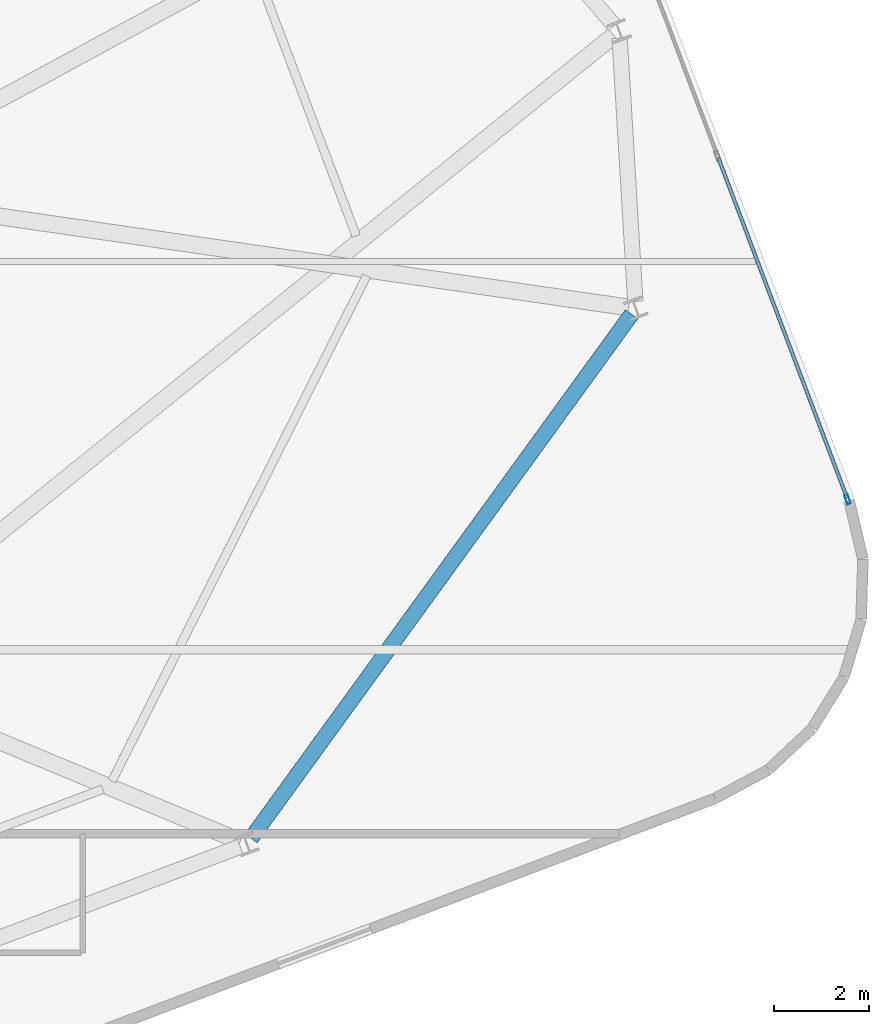
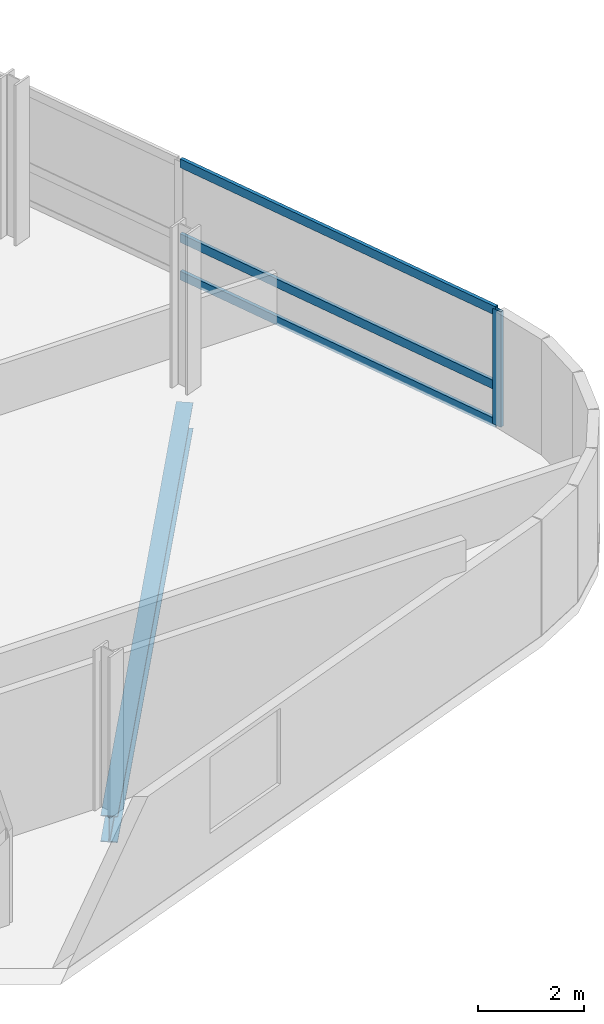
# One storey, part 11 of 19: 4 members, 1 beam, 1 element without a shape of its own.
"""IFC4 building model written with IfcOpenShell, lengths in metres."""

from ifc_helpers import new_model, si_unit, direction, frame, origin, origin_2d, place, context, subcontext, project, spatial, hollow_rectangle, i_section, extrude, material, layer, layer_set, material_profile, profile_set, type_object, element, aggregate, save


model = new_model("IFC4")

# Units and contexts
model_context = context("Model", 3, precision=1e-05, world=origin(), true_north=direction((0.0, 1.0)))
body_context = subcontext(model_context, "Body", "Model", "MODEL_VIEW")
ifc_project = project(units=[si_unit("LENGTHUNIT", "METRE"), si_unit("AREAUNIT", "SQUARE_METRE"), si_unit("VOLUMEUNIT", "CUBIC_METRE"), si_unit("PLANEANGLEUNIT", "RADIAN"), si_unit("MASSUNIT", "GRAM", prefix="KILO")], contexts=[model_context])

# Site, building, storey
site_placement = place(None, origin())
site = spatial("IfcSite", under=ifc_project, at=site_placement, CompositionType="ELEMENT")
building_placement = place(site_placement, origin())
building = spatial("IfcBuilding", under=site, at=building_placement, Name="Varnelok Gate Tower", CompositionType="ELEMENT")
storey_placement = place(building_placement, frame((0.0, 0.0, 249.699951171875)))
storey = spatial("IfcBuildingStorey", under=building, at=storey_placement, Name="L64", CompositionType="ELEMENT", Elevation=249.699951171875)

# Beam
ifc_material_1 = material(Name="Structural Steel ASTM A992 Grade 50", Category="steel")
ifc_material_profile_1 = material_profile(ifc_material_1, i_section(OverallWidth=0.323974609375, OverallDepth=0.611083984375, WebThickness=0.0126953125, FlangeThickness=0.01904296875, FilletRadius=0.01806640625, at=origin_2d()), Name="W24X104")
ifc_profile_set_1 = profile_set([ifc_material_profile_1], Name="Structural Steel ASTM A992 Grade 50")
beam_type = type_object("IfcBeamType", Name="BM-SPN-W24X104", PredefinedType="SPANDREL", material=ifc_profile_set_1)
beam_placement = place(storey_placement, frame((62.92041015625, 15.249755859375, -0.555419921875), z_axis=(0.58754084914, 0.809194507267, 0.0), x_axis=(-0.809194507267, 0.58754084914, 0.0)))
element("IfcBeam", 1, at=beam_placement, inside=storey, type_object=beam_type, Name="L64 Perimeter Spandrel Beam 5", PredefinedType="SPANDREL", context=body_context, shape_type="SweptSolid", body=[
    extrude(i_section(OverallWidth=0.323974609375, OverallDepth=0.611083984375, WebThickness=0.0126953125, FlangeThickness=0.01904296875, FilletRadius=0.01806640625, at=origin_2d()), origin(), (0.0, 0.0, 1.0), 13.695556640625),
])

# Curtain wall, members
ifc_material_2 = material(Name="Anodized Aluminum Alloy 6063-T6", Category="aluminium")
ifc_layer = layer(ifc_material_2, 0.179931640625)
ifc_layer_set = layer_set([ifc_layer], Name="Anodized Aluminum Alloy 6063-T6")
curtain_wall_type = type_object("IfcCurtainWallType", Name="CW4-RESIDENCE-VISION", PredefinedType="USERDEFINED", material=ifc_layer_set)
curtain_wall_placement = place(storey_placement, origin())
curtain_wall = element("IfcCurtainWall", 2, at=curtain_wall_placement, inside=storey, type_object=curtain_wall_type, Name="L64 East End Vision Curtain Wall", ObjectType="UNITISED CURTAIN WALL", PredefinedType="USERDEFINED")
ifc_material_profile_2 = material_profile(ifc_material_2, hollow_rectangle(XDim=0.074951171875, YDim=0.199951171875, WallThickness=0.00390625, at=origin_2d()), Name="ALU200X75X4")
ifc_profile_set_2 = profile_set([ifc_material_profile_2], Name="Anodized Aluminum Alloy 6063-T6")
member_type_1 = type_object("IfcMemberType", Name="CW-MULL-200", PredefinedType="MULLION", material=ifc_profile_set_2)
member_1_placement = place(storey_placement, frame((75.534912109375, 22.41552734375, 0.0), z_axis=(0.0, 0.0, 1.0), x_axis=(0.935221557832, 0.354063042079, 0.0)))
member_1 = element("IfcMember", 3, at=member_1_placement, type_object=member_type_1, Name="CW4 mullion 5", PredefinedType="MULLION", context=body_context, shape_type="SweptSolid", body=[
    extrude(hollow_rectangle(XDim=0.074951171875, YDim=0.199951171875, WallThickness=0.00390625, at=origin_2d()), origin(), (0.0, 0.0, 1.0), 2.66015625),
])
ifc_material_profile_3 = material_profile(ifc_material_2, hollow_rectangle(XDim=0.074951171875, YDim=0.199951171875, WallThickness=0.00390625, at=origin_2d()), Name="ALU200X75X4")
ifc_profile_set_3 = profile_set([ifc_material_profile_3], Name="Anodized Aluminum Alloy 6063-T6")
member_type_2 = type_object("IfcMemberType", Name="CW-TRAN-200", PredefinedType="USERDEFINED", material=ifc_profile_set_3)
member_2_placement = place(storey_placement, frame((72.7998046875, 29.64013671875, 0.03759765625), z_axis=(0.354062525952, -0.935221753231, 0.0), x_axis=(0.935221753231, 0.354062525952, 0.0)))
member_2 = element("IfcMember", 4, at=member_2_placement, type_object=member_type_2, Name="CW4 transom 4.1", ObjectType="TRANSOM", PredefinedType="USERDEFINED", context=body_context, shape_type="SweptSolid", body=[
    extrude(hollow_rectangle(XDim=0.074951171875, YDim=0.199951171875, WallThickness=0.00390625, at=origin_2d()), origin(), (0.0, 0.0, 1.0), 7.687744140625),
])
member_3_placement = place(storey_placement, frame((72.7998046875, 29.64013671875, 0.900146484375), z_axis=(0.354062525952, -0.935221753231, 0.0), x_axis=(0.935221753231, 0.354062525952, 0.0)))
member_3 = element("IfcMember", 5, at=member_3_placement, type_object=member_type_2, Name="CW4 transom 4.2", ObjectType="TRANSOM", PredefinedType="USERDEFINED", context=body_context, shape_type="SweptSolid", body=[
    extrude(hollow_rectangle(XDim=0.074951171875, YDim=0.199951171875, WallThickness=0.00390625, at=origin_2d()), origin(), (0.0, 0.0, 1.0), 7.687744140625),
])
member_4_placement = place(storey_placement, frame((72.7998046875, 29.64013671875, 2.62255859375), z_axis=(0.354062525952, -0.935221753231, 0.0), x_axis=(0.935221753231, 0.354062525952, 0.0)))
member_4 = element("IfcMember", 6, at=member_4_placement, type_object=member_type_2, Name="CW4 transom 4.3", ObjectType="TRANSOM", PredefinedType="USERDEFINED", context=body_context, shape_type="SweptSolid", body=[
    extrude(hollow_rectangle(XDim=0.074951171875, YDim=0.199951171875, WallThickness=0.00390625, at=origin_2d()), origin(), (0.0, 0.0, 1.0), 7.687744140625),
])
aggregate(curtain_wall, [member_1, member_2, member_3, member_4])

save(model, "model.ifc")
